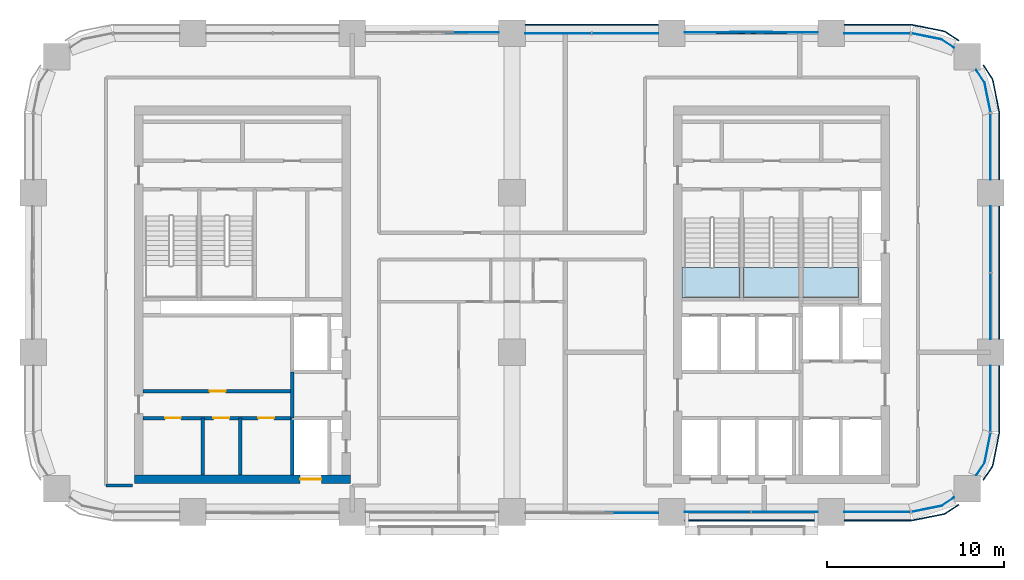
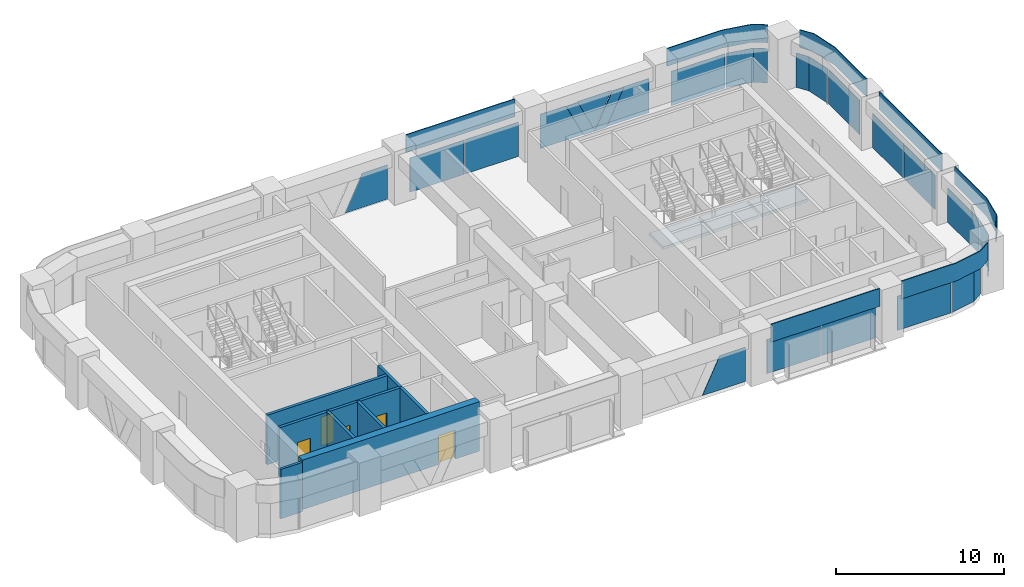
# One storey, part 7 of 13: 27 plates, 8 walls, 5 doors, 3 slabs, 5 openings, 13 elements without a shape of their own.
"""IFC4 building model written with IfcOpenShell, lengths in metres."""

import ifcopenshell
import ifcopenshell.guid

model = None  # the IFC model being written
_history = None  # IfcOwnerHistory: only IFC2X3 demands one
_inside = {}  # id of a spatial element -> (the spatial element, [elements in it])
_under = {}  # id of a project, library or spatial element -> (it, [spatial elements below it])
_declared = {}  # id of a project -> (the project, [libraries it declares])
_typed = {}  # id of a type object -> (the type object, [elements of that type])
_made_of = {}  # id of a material, layer set ... -> (it, [elements and type objects made of it])


def new_model(schema):
    """Start an empty IFC model of exactly this schema.

    Asked for "IFC4X3", IfcOpenShell would pick the latest addendum, in which some entities
    have other attributes; the version numbers below select the first issue.
    IFC2X3 requires an IfcOwnerHistory on every rooted entity: one is made here for all.
    """
    global model, _history
    if schema == "IFC4X3":
        model = ifcopenshell.file(schema_version=(4, 3, 0, 0))
    else:
        model = ifcopenshell.file(schema=schema)
    _inside.clear()
    _under.clear()
    _declared.clear()
    _typed.clear()
    _made_of.clear()
    _history = None
    if model.schema == "IFC2X3":
        org = make("IfcOrganization", Name="unknown")
        user = make(
            "IfcPersonAndOrganization",
            ThePerson=make("IfcPerson", FamilyName="unknown"),
            TheOrganization=org,
        )
        app = make(
            "IfcApplication",
            ApplicationDeveloper=org,
            Version="unknown",
            ApplicationFullName="unknown",
            ApplicationIdentifier="unknown",
        )
        _history = make(
            "IfcOwnerHistory",
            OwningUser=user,
            OwningApplication=app,
            ChangeAction="ADDED",
            CreationDate=0,
        )
    return model


def make(cls, **values):
    """One entity of the class cls with the attributes given. An attribute that is None is left unset."""
    return model.create_entity(
        cls, **{name: value for name, value in values.items() if value is not None}
    )


def rooted(cls, **values):
    """An entity with a GlobalId (a new one), such as an element, a storey or a relation."""
    return make(cls, GlobalId=ifcopenshell.guid.new(), OwnerHistory=_history, **values)


def si_unit(unit_type, name, prefix=None):
    """IfcSIUnit, for example si_unit("LENGTHUNIT", "METRE", prefix="MILLI")."""
    return make("IfcSIUnit", UnitType=unit_type, Prefix=prefix, Name=name)


def assignment(units):
    """IfcUnitAssignment: the units of a project."""
    return None if units is None else make("IfcUnitAssignment", Units=units)


def point(xyz):
    """IfcCartesianPoint."""
    return None if xyz is None else make("IfcCartesianPoint", Coordinates=xyz)


def direction(xyz):
    """IfcDirection."""
    return None if xyz is None else make("IfcDirection", DirectionRatios=xyz)


def frame(location, z_axis=None, x_axis=None):
    """IfcAxis2Placement3D, a coordinate frame: its origin and axes. An axis left out is left unset."""
    return make(
        "IfcAxis2Placement3D",
        Location=point(location),
        Axis=direction(z_axis),
        RefDirection=direction(x_axis),
    )


def frame_2d(location, x_axis=None):
    """IfcAxis2Placement2D, a coordinate frame in the plane: its origin and x axis."""
    return make(
        "IfcAxis2Placement2D", Location=point(location), RefDirection=direction(x_axis)
    )


def origin():
    """The frame at (0, 0, 0) with its axes left unset."""
    return frame((0.0, 0.0, 0.0))


def origin_2d():
    """The frame at (0, 0) in the plane with its x axis left unset."""
    return frame_2d((0.0, 0.0))


def place(relative_to, where):
    """IfcLocalPlacement: puts the frame where relative to a parent placement (None: the world)."""
    return make(
        "IfcLocalPlacement", PlacementRelTo=relative_to, RelativePlacement=where
    )


def context(
    kind, dimensions, precision=None, world=None, true_north=None, identifier=None
):
    """IfcGeometricRepresentationContext, for example the 3D "Model" context."""
    return make(
        "IfcGeometricRepresentationContext",
        ContextIdentifier=identifier,
        ContextType=kind,
        CoordinateSpaceDimension=dimensions,
        Precision=precision,
        WorldCoordinateSystem=world,
        TrueNorth=true_north,
    )


def subcontext(parent, identifier, kind, view, scale=None):
    """IfcGeometricRepresentationSubContext, for example "Body" below "Model"."""
    return make(
        "IfcGeometricRepresentationSubContext",
        ContextIdentifier=identifier,
        ContextType=kind,
        ParentContext=parent,
        TargetScale=scale,
        TargetView=view,
    )


def project(units=None, contexts=None):
    """IfcProject with its units and contexts."""
    return rooted(
        "IfcProject",
        Name="project",
        RepresentationContexts=contexts,
        UnitsInContext=assignment(units),
    )


def spatial(cls, under=None, at=None, **own):
    """A site, building, storey or space (cls), placed at a placement, below another one or the project."""
    s = rooted(cls, ObjectPlacement=at, **own)
    if under is not None:
        _under.setdefault(under.id(), (under, []))[1].append(s)
    return s


def polyline(points):
    """IfcPolyline through the points."""
    return make("IfcPolyline", Points=[point(p) for p in points])


def profile(cls, at=None, kind="AREA", **sizes):
    """A parametric profile (cls). Its sizes go by their IFC names, for example OverallWidth=200.0."""
    return make(cls, ProfileType=kind, Position=at, **sizes)


def rectangle(**sizes):
    """IfcRectangleProfileDef."""
    return profile("IfcRectangleProfileDef", **sizes)


def outline(outer, holes=None, kind="AREA"):
    """IfcArbitraryClosedProfileDef: a profile drawn as a closed curve; with holes, ...WithVoids."""
    if holes is None:
        return make("IfcArbitraryClosedProfileDef", ProfileType=kind, OuterCurve=outer)
    return make(
        "IfcArbitraryProfileDefWithVoids",
        ProfileType=kind,
        OuterCurve=outer,
        InnerCurves=holes,
    )


def extrude(swept, where, along, depth):
    """IfcExtrudedAreaSolid: the profile swept, set in the frame where, extruded along a direction by depth."""
    return make(
        "IfcExtrudedAreaSolid",
        SweptArea=swept,
        Position=where,
        ExtrudedDirection=direction(along),
        Depth=depth,
    )


def shape(context_of_items, identifier, shape_type, items):
    """IfcShapeRepresentation: the items that make up one representation, for example the "Body"."""
    return make(
        "IfcShapeRepresentation",
        ContextOfItems=context_of_items,
        RepresentationIdentifier=identifier,
        RepresentationType=shape_type,
        Items=items,
    )


def material(Name=None, Category=None):
    """IfcMaterial."""
    return make("IfcMaterial", Name=Name, Category=Category)


def layer(
    of_material, thickness, ventilated=None, Name=None, Category=None, Priority=None
):
    """IfcMaterialLayer: one layer of a wall or slab, of a material (None: an air gap)."""
    return make(
        "IfcMaterialLayer",
        Material=of_material,
        LayerThickness=thickness,
        IsVentilated=ventilated,
        Name=Name,
        Category=Category,
        Priority=Priority,
    )


def layer_set(layers, Name=None):
    """IfcMaterialLayerSet."""
    return make("IfcMaterialLayerSet", MaterialLayers=layers, LayerSetName=Name)


def made_of(thing, what):
    """Note that an element or type object is made of a material, layer set ...; save() writes the relation."""
    if what is not None:
        _made_of.setdefault(what.id(), (what, []))[1].append(thing)
    return thing


def type_object(cls, material=None, **own):
    """A type object (cls), such as IfcWallType, which elements share."""
    return made_of(rooted(cls, **own), material)


def element(
    cls,
    number,
    at=None,
    inside=None,
    cuts=None,
    type_object=None,
    material=None,
    context=None,
    identifier="Body",
    shape_type=None,
    held_by="IfcProductDefinitionShape",
    body=None,
    shapes=None,
    **own,
):
    """One element of the class cls, such as IfcWall. Its Tag is "e" and its number.

    at: its placement. inside: the storey or other place that contains it. cuts: it is an
    opening in that element (IfcRelVoidsElement). A single representation is given by context,
    identifier, shape_type and body (its items); several are given by shapes. held_by: the class
    of the entity that holds the representations. save() writes the other relations.
    """
    e = rooted(cls, Tag="e%d" % number, ObjectPlacement=at, **own)
    if body is not None:
        shapes = [shape(context, identifier, shape_type, body)]
    if shapes is not None:
        e.Representation = make(held_by, Representations=shapes)
    if inside is not None:
        _inside.setdefault(inside.id(), (inside, []))[1].append(e)
    if cuts is not None:
        rooted(
            "IfcRelVoidsElement", RelatingBuildingElement=cuts, RelatedOpeningElement=e
        )
    if type_object is not None:
        _typed.setdefault(type_object.id(), (type_object, []))[1].append(e)
    return made_of(e, material)


def fill(opening, filler):
    """IfcRelFillsElement: the door or window that sits in an opening."""
    return rooted(
        "IfcRelFillsElement",
        RelatingOpeningElement=opening,
        RelatedBuildingElement=filler,
    )


def aggregate(whole, parts):
    """IfcRelAggregates: a whole, such as a stair, and the parts it consists of."""
    return rooted("IfcRelAggregates", RelatingObject=whole, RelatedObjects=parts)


def save(model, path):
    """Write the relations noted so far, then the file.

    IfcRelAggregates (storeys below a building ...), IfcRelContainedInSpatialStructure (elements
    in a storey), IfcRelDefinesByType, IfcRelAssociatesMaterial and IfcRelDeclares: one each for
    every whole, place, type object, material and project.
    """
    for whole, parts in _under.values():
        aggregate(whole, parts)
    for where, things in _inside.values():
        rooted(
            "IfcRelContainedInSpatialStructure",
            RelatedElements=things,
            RelatingStructure=where,
        )
    for kind, things in _typed.values():
        rooted("IfcRelDefinesByType", RelatedObjects=things, RelatingType=kind)
    for what, things in _made_of.values():
        rooted("IfcRelAssociatesMaterial", RelatedObjects=things, RelatingMaterial=what)
    for by, libraries in _declared.values():
        rooted("IfcRelDeclares", RelatingContext=by, RelatedDefinitions=libraries)
    model.write(path)


model = new_model("IFC4")

# Units and contexts
model_context = context("Model", 3, precision=1e-05, world=origin(), true_north=direction((0.0, 1.0)))
body_context = subcontext(model_context, "Body", "Model", "MODEL_VIEW")
ifc_project = project(units=[si_unit("LENGTHUNIT", "METRE"), si_unit("AREAUNIT", "SQUARE_METRE"), si_unit("VOLUMEUNIT", "CUBIC_METRE"), si_unit("PLANEANGLEUNIT", "RADIAN"), si_unit("MASSUNIT", "GRAM", prefix="KILO")], contexts=[model_context])

# Site, building, storey
site_placement = place(None, origin())
site = spatial("IfcSite", under=ifc_project, at=site_placement, CompositionType="ELEMENT")
building_placement = place(site_placement, origin())
building = spatial("IfcBuilding", under=site, at=building_placement, Name="Tessera Arch", CompositionType="ELEMENT")
storey_placement = place(building_placement, frame((0.0, 0.0, 158.300048828125)))
storey = spatial("IfcBuildingStorey", under=building, at=storey_placement, Name="L37", CompositionType="ELEMENT", Elevation=158.300048828125)

# Curtain wall, plates
ifc_material_1 = material(Name="CW1 curtain wall")
curtain_wall_type_1 = type_object("IfcCurtainWallType", Name="CW1 curtain wall", PredefinedType="NOTDEFINED", material=ifc_material_1)
curtain_wall_1_placement = place(storey_placement, origin())
curtain_wall_1 = element("IfcCurtainWall", 1, at=curtain_wall_1_placement, inside=storey, type_object=curtain_wall_type_1, Name="CW1 curtain wall E54.27/0 L37", PredefinedType="NOTDEFINED")
ifc_material_2 = material(Name="Clear low-e glass", Category="glass")
ifc_material_3 = material(Name="Clear low-e glass", Category="glass")
ifc_layer_1 = layer(ifc_material_3, 0.028076171875)
ifc_layer_set_1 = layer_set([ifc_layer_1], Name="CW1 glass panel")
plate_type_1 = type_object("IfcPlateType", Name="CW1 glass panel", PredefinedType="CURTAIN_PANEL", material=ifc_layer_set_1)
plate_1_placement = place(storey_placement, frame((54.0, 38.610107421875, 0.0), z_axis=(0.0, 0.0, 1.0), x_axis=(0.0, 1.0, 0.0)))
plate_1 = element("IfcPlate", 2, at=plate_1_placement, type_object=plate_type_1, material=ifc_material_2, Name="CW1 glass panel E54.27/0 1.1.1", PredefinedType="CURTAIN_PANEL", context=body_context, shape_type="SweptSolid", body=[
    extrude(rectangle(XDim=3.719970703125, YDim=0.028076171875, at=origin_2d()), origin(), (0.0, 0.0, 1.0), 2.5),
])
plate_2_placement = place(storey_placement, frame((54.0, 42.389892578125, 0.0), z_axis=(0.0, 0.0, 1.0), x_axis=(0.0, 1.0, 0.0)))
plate_2 = element("IfcPlate", 3, at=plate_2_placement, type_object=plate_type_1, material=ifc_material_2, Name="CW1 glass panel E54.27/0 1.2.1", PredefinedType="CURTAIN_PANEL", context=body_context, shape_type="SweptSolid", body=[
    extrude(rectangle(XDim=3.719970703125, YDim=0.028076171875, at=origin_2d()), origin(), (0.0, 0.0, 1.0), 2.5),
])

curtain_wall_2_placement = place(storey_placement, origin())
curtain_wall_2 = element("IfcCurtainWall", 4, at=curtain_wall_2_placement, inside=storey, type_object=curtain_wall_type_1, Name="CW1 curtain wall N54.0/2 L37", PredefinedType="NOTDEFINED")
plate_3_placement = place(storey_placement, frame((33.389892578125, 54.0, 0.0), z_axis=(0.0, 0.0, 1.0), x_axis=(-1.0, 0.0, 0.0)))
plate_3 = element("IfcPlate", 5, at=plate_3_placement, type_object=plate_type_1, material=ifc_material_2, Name="CW1 glass panel N54.0/2 1.1.1", PredefinedType="CURTAIN_PANEL", context=body_context, shape_type="SweptSolid", body=[
    extrude(rectangle(XDim=3.719970703125, YDim=0.028076171875, at=origin_2d()), origin(), (0.0, 0.0, 1.0), 2.5),
])
plate_4_placement = place(storey_placement, frame((29.610107421875, 54.0, 0.0), z_axis=(0.0, 0.0, 1.0), x_axis=(-1.0, 0.0, 0.0)))
plate_4 = element("IfcPlate", 6, at=plate_4_placement, type_object=plate_type_1, material=ifc_material_2, Name="CW1 glass panel N54.0/2 1.2.1", PredefinedType="CURTAIN_PANEL", context=body_context, shape_type="SweptSolid", body=[
    extrude(rectangle(XDim=3.719970703125, YDim=0.028076171875, at=origin_2d()), origin(), (0.0, 0.0, 1.0), 2.5),
])

curtain_wall_3_placement = place(storey_placement, origin())
curtain_wall_3 = element("IfcCurtainWall", 7, at=curtain_wall_3_placement, inside=storey, type_object=curtain_wall_type_1, Name="CW1 curtain wall S27.0/4 L37", PredefinedType="NOTDEFINED")
plate_5_placement = place(storey_placement, frame((38.610107421875, 27.0, 0.0), z_axis=(0.0, 0.0, 1.0), x_axis=(1.0, 0.0, 0.0)))
plate_5 = element("IfcPlate", 8, at=plate_5_placement, type_object=plate_type_1, material=ifc_material_2, Name="CW1 glass panel S27.0/4 1.1.1", PredefinedType="CURTAIN_PANEL", context=body_context, shape_type="SweptSolid", body=[
    extrude(rectangle(XDim=3.719970703125, YDim=0.028076171875, at=origin_2d()), origin(), (0.0, 0.0, 1.0), 2.5),
])
plate_6_placement = place(storey_placement, frame((42.389892578125, 27.0, 0.0), z_axis=(0.0, 0.0, 1.0), x_axis=(1.0, 0.0, 0.0)))
plate_6 = element("IfcPlate", 9, at=plate_6_placement, type_object=plate_type_1, material=ifc_material_2, Name="CW1 glass panel S27.0/4 1.2.1", PredefinedType="CURTAIN_PANEL", context=body_context, shape_type="SweptSolid", body=[
    extrude(rectangle(XDim=3.719970703125, YDim=0.028076171875, at=origin_2d()), origin(), (0.0, 0.0, 1.0), 2.5),
])

# Plate
ifc_material_4 = material(Name="Pale anodised aluminium panel", Category="aluminium")
ifc_layer_2 = layer(ifc_material_4, 0.06005859375)
ifc_layer_set_2 = layer_set([ifc_layer_2], Name="CW1 spandrel panel")
plate_type_2 = type_object("IfcPlateType", Name="CW1 spandrel panel", PredefinedType="CURTAIN_PANEL", material=ifc_layer_set_2)
plate_7_placement = place(storey_placement, frame((54.47998046875, 40.5, 2.60009765625), z_axis=(0.0, 0.0, 1.0), x_axis=(0.0, 1.0, 0.0)))
plate_7 = element("IfcPlate", 10, at=plate_7_placement, type_object=plate_type_2, Name="CW1 spandrel panel E54.27/0", PredefinedType="CURTAIN_PANEL", context=body_context, shape_type="SweptSolid", body=[
    extrude(rectangle(XDim=7.5, YDim=0.06005859375, at=origin_2d()), origin(), (0.0, 0.0, 1.0), 1.300048828125),
])

aggregate(curtain_wall_1, [plate_1, plate_2, plate_7])

plate_8_placement = place(storey_placement, frame((31.5, 54.47998046875, 2.60009765625), z_axis=(0.0, 0.0, 1.0), x_axis=(-1.0, 0.0, 0.0)))
plate_8 = element("IfcPlate", 11, at=plate_8_placement, type_object=plate_type_2, Name="CW1 spandrel panel N54.0/2", PredefinedType="CURTAIN_PANEL", context=body_context, shape_type="SweptSolid", body=[
    extrude(rectangle(XDim=7.5, YDim=0.06005859375, at=origin_2d()), origin(), (0.0, 0.0, 1.0), 1.300048828125),
])

aggregate(curtain_wall_2, [plate_3, plate_4, plate_8])

plate_9_placement = place(storey_placement, frame((40.5, 26.52001953125, 2.60009765625), z_axis=(0.0, 0.0, 1.0), x_axis=(1.0, 0.0, 0.0)))
plate_9 = element("IfcPlate", 12, at=plate_9_placement, type_object=plate_type_2, Name="CW1 spandrel panel S27.0/4", PredefinedType="CURTAIN_PANEL", context=body_context, shape_type="SweptSolid", body=[
    extrude(rectangle(XDim=7.5, YDim=0.06005859375, at=origin_2d()), origin(), (0.0, 0.0, 1.0), 1.300048828125),
])

aggregate(curtain_wall_3, [plate_5, plate_6, plate_9])

# Curtain wall, plates
ifc_material_5 = material(Name="CW2 curtain wall")
curtain_wall_type_2 = type_object("IfcCurtainWallType", Name="CW2 curtain wall", PredefinedType="NOTDEFINED", material=ifc_material_5)
curtain_wall_4_placement = place(storey_placement, origin())
curtain_wall_4 = element("IfcCurtainWall", 13, at=curtain_wall_4_placement, inside=storey, type_object=curtain_wall_type_2, Name="CW2 curtain wall E54.27/1 L37", PredefinedType="NOTDEFINED")
ifc_material_6 = material(Name="Clear low-e glass", Category="glass")
ifc_layer_3 = layer(ifc_material_6, 0.028076171875)
ifc_layer_set_3 = layer_set([ifc_layer_3], Name="CW2 glass panel")
plate_type_3 = type_object("IfcPlateType", Name="CW2 glass panel", PredefinedType="CURTAIN_PANEL", material=ifc_layer_set_3)
plate_10_placement = place(storey_placement, frame((54.0, 47.60498046875, 0.0), z_axis=(0.0, 0.0, 1.0), x_axis=(0.0, 1.0, 0.0)))
plate_10 = element("IfcPlate", 14, at=plate_10_placement, type_object=plate_type_3, material=ifc_material_2, Name="CW2 glass panel E54.27/1 1.1", PredefinedType="CURTAIN_PANEL", context=body_context, shape_type="SweptSolid", body=[
    extrude(rectangle(XDim=3.7099609375, YDim=0.028076171875, at=origin_2d()), origin(), (0.0, 0.0, 1.0), 2.5),
])
plate_11_placement = place(storey_placement, origin())
plate_11 = element("IfcPlate", 15, at=plate_11_placement, type_object=plate_type_3, material=ifc_material_2, Name="CW2 curved glass panel E54.27/1 2.1", PredefinedType="CURTAIN_PANEL", context=body_context, shape_type="SweptSolid", body=[
    extrude(outline(polyline([(53.644287109375, 51.216552734375), (53.978515625, 49.53662109375), (54.005859375, 49.5419921875), (53.670654296875, 51.2275390625), (53.19482421875, 51.939697265625), (53.17138671875, 51.92431640625), (53.644287109375, 51.216552734375)])), origin(), (0.0, 0.0, 1.0), 2.5),
])

curtain_wall_5_placement = place(storey_placement, origin())
curtain_wall_5 = element("IfcCurtainWall", 16, at=curtain_wall_5_placement, inside=storey, type_object=curtain_wall_type_2, Name="CW2 curtain wall N54.0/0 L37", PredefinedType="NOTDEFINED")
plate_12_placement = place(storey_placement, frame((47.60498046875, 54.0, 0.0), z_axis=(0.0, 0.0, 1.0), x_axis=(-1.0, 0.0, 0.0)))
plate_12 = element("IfcPlate", 17, at=plate_12_placement, type_object=plate_type_3, material=ifc_material_2, Name="CW2 glass panel N54.0/0 1.1", PredefinedType="CURTAIN_PANEL", context=body_context, shape_type="SweptSolid", body=[
    extrude(rectangle(XDim=3.7099609375, YDim=0.028076171875, at=origin_2d()), origin(), (0.0, 0.0, 1.0), 2.5),
])
plate_13_placement = place(storey_placement, origin())
plate_13 = element("IfcPlate", 18, at=plate_13_placement, type_object=plate_type_3, material=ifc_material_2, Name="CW2 curved glass panel N54.0/0 2.1", PredefinedType="CURTAIN_PANEL", context=body_context, shape_type="SweptSolid", body=[
    extrude(outline(polyline([(51.216552734375, 53.644287109375), (51.92431640625, 53.17138671875), (51.939697265625, 53.19482421875), (51.2275390625, 53.670654296875), (49.5419921875, 54.005859375), (49.53662109375, 53.978515625), (51.216552734375, 53.644287109375)])), origin(), (0.0, 0.0, 1.0), 2.5),
])

curtain_wall_6_placement = place(storey_placement, origin())
curtain_wall_6 = element("IfcCurtainWall", 19, at=curtain_wall_6_placement, inside=storey, type_object=curtain_wall_type_2, Name="CW2 curtain wall S27.0/5 L37", PredefinedType="NOTDEFINED")
plate_14_placement = place(storey_placement, frame((47.60498046875, 27.0, 0.0), z_axis=(0.0, 0.0, 1.0), x_axis=(1.0, 0.0, 0.0)))
plate_14 = element("IfcPlate", 20, at=plate_14_placement, type_object=plate_type_3, material=ifc_material_2, Name="CW2 glass panel S27.0/5 1.1", PredefinedType="CURTAIN_PANEL", context=body_context, shape_type="SweptSolid", body=[
    extrude(rectangle(XDim=3.7099609375, YDim=0.028076171875, at=origin_2d()), origin(), (0.0, 0.0, 1.0), 2.5),
])
plate_15_placement = place(storey_placement, origin())
plate_15 = element("IfcPlate", 21, at=plate_15_placement, type_object=plate_type_3, material=ifc_material_2, Name="CW2 curved glass panel S27.0/5 2.1", PredefinedType="CURTAIN_PANEL", context=body_context, shape_type="SweptSolid", body=[
    extrude(outline(polyline([(51.216552734375, 27.355712890625), (49.53662109375, 27.021484375), (49.5419921875, 26.994140625), (51.2275390625, 27.329345703125), (51.939697265625, 27.80517578125), (51.92431640625, 27.82861328125), (51.216552734375, 27.355712890625)])), origin(), (0.0, 0.0, 1.0), 2.5),
])

curtain_wall_7_placement = place(storey_placement, origin())
curtain_wall_7 = element("IfcCurtainWall", 22, at=curtain_wall_7_placement, inside=storey, type_object=curtain_wall_type_2, Name="CW2 curtain wall E54.27/2 L37", PredefinedType="NOTDEFINED")
plate_16_placement = place(storey_placement, frame((54.0, 33.39501953125, 0.0), z_axis=(0.0, 0.0, 1.0), x_axis=(0.0, 1.0, 0.0)))
plate_16 = element("IfcPlate", 23, at=plate_16_placement, type_object=plate_type_3, material=ifc_material_2, Name="CW2 glass panel E54.27/2 1.1", PredefinedType="CURTAIN_PANEL", context=body_context, shape_type="SweptSolid", body=[
    extrude(rectangle(XDim=3.7099609375, YDim=0.028076171875, at=origin_2d()), origin(), (0.0, 0.0, 1.0), 2.5),
])
plate_17_placement = place(storey_placement, origin())
plate_17 = element("IfcPlate", 24, at=plate_17_placement, type_object=plate_type_3, material=ifc_material_2, Name="CW2 curved glass panel E54.27/2 2.1", PredefinedType="CURTAIN_PANEL", context=body_context, shape_type="SweptSolid", body=[
    extrude(outline(polyline([(53.644287109375, 29.783447265625), (53.17138671875, 29.07568359375), (53.19482421875, 29.060302734375), (53.670654296875, 29.7724609375), (54.005859375, 31.4580078125), (53.978515625, 31.46337890625), (53.644287109375, 29.783447265625)])), origin(), (0.0, 0.0, 1.0), 2.5),
])

# Plate
ifc_material_7 = material(Name="Pale anodised aluminium panel", Category="aluminium")
ifc_layer_4 = layer(ifc_material_7, 0.06005859375)
ifc_layer_set_4 = layer_set([ifc_layer_4], Name="CW2 spandrel panel")
plate_type_4 = type_object("IfcPlateType", Name="CW2 spandrel panel", PredefinedType="CURTAIN_PANEL", material=ifc_layer_set_4)
plate_18_placement = place(storey_placement, frame((0.0, 0.0, 2.599853515625)))
plate_18 = element("IfcPlate", 25, at=plate_18_placement, type_object=plate_type_4, Name="CW2 spandrel panel E54.27/1", PredefinedType="CURTAIN_PANEL", context=body_context, shape_type="SweptSolid", body=[
    extrude(outline(polyline([(54.449951171875, 49.499267578125), (54.449951171875, 45.75), (54.510009765625, 45.75), (54.510009765625, 49.500732421875), (54.507568359375, 49.550048828125), (54.500244140625, 49.598876953125), (54.157470703125, 51.322265625), (54.1455078125, 51.3701171875), (54.128662109375, 51.417236328125), (54.107421875, 51.462646484375), (54.08203125, 51.5048828125), (53.607177734375, 52.21533203125), (53.55712890625, 52.18212890625), (54.03125, 51.47265625), (54.054443359375, 51.434326171875), (54.0732421875, 51.394287109375), (54.088134765625, 51.352783203125), (54.09912109375, 51.30908203125), (54.441162109375, 49.588623046875), (54.44775390625, 49.544189453125), (54.449951171875, 49.499267578125)])), origin(), (0.0, 0.0, 1.0), 1.300048828125),
])

aggregate(curtain_wall_4, [plate_10, plate_11, plate_18])

plate_19_placement = place(storey_placement, frame((0.0, 0.0, 2.599853515625)))
plate_19 = element("IfcPlate", 26, at=plate_19_placement, type_object=plate_type_4, Name="CW2 spandrel panel N54.0/0", PredefinedType="CURTAIN_PANEL", context=body_context, shape_type="SweptSolid", body=[
    extrude(outline(polyline([(51.47265625, 54.03125), (52.18212890625, 53.55712890625), (52.21533203125, 53.607177734375), (51.5048828125, 54.08203125), (51.462646484375, 54.107421875), (51.417236328125, 54.128662109375), (51.3701171875, 54.1455078125), (51.322265625, 54.157470703125), (49.598876953125, 54.500244140625), (49.550048828125, 54.507568359375), (49.500732421875, 54.510009765625), (45.75, 54.510009765625), (45.75, 54.449951171875), (49.499267578125, 54.449951171875), (49.544189453125, 54.44775390625), (49.588623046875, 54.441162109375), (51.30908203125, 54.09912109375), (51.352783203125, 54.088134765625), (51.394287109375, 54.0732421875), (51.434326171875, 54.054443359375), (51.47265625, 54.03125)])), origin(), (0.0, 0.0, 1.0), 1.300048828125),
])

aggregate(curtain_wall_5, [plate_12, plate_13, plate_19])

plate_20_placement = place(storey_placement, frame((0.0, 0.0, 2.599853515625)))
plate_20 = element("IfcPlate", 27, at=plate_20_placement, type_object=plate_type_4, Name="CW2 spandrel panel S27.0/5", PredefinedType="CURTAIN_PANEL", context=body_context, shape_type="SweptSolid", body=[
    extrude(outline(polyline([(49.499267578125, 26.550048828125), (45.75, 26.550048828125), (45.75, 26.489990234375), (49.500732421875, 26.489990234375), (49.550048828125, 26.492431640625), (49.598876953125, 26.499755859375), (51.322265625, 26.842529296875), (51.3701171875, 26.8544921875), (51.417236328125, 26.871337890625), (51.462646484375, 26.892578125), (51.5048828125, 26.91796875), (52.21533203125, 27.392822265625), (52.18212890625, 27.44287109375), (51.47265625, 26.96875), (51.434326171875, 26.945556640625), (51.394287109375, 26.9267578125), (51.352783203125, 26.911865234375), (51.30908203125, 26.90087890625), (49.588623046875, 26.558837890625), (49.544189453125, 26.55224609375), (49.499267578125, 26.550048828125)])), origin(), (0.0, 0.0, 1.0), 1.300048828125),
])

aggregate(curtain_wall_6, [plate_14, plate_15, plate_20])

plate_21_placement = place(storey_placement, frame((0.0, 0.0, 2.599853515625)))
plate_21 = element("IfcPlate", 28, at=plate_21_placement, type_object=plate_type_4, Name="CW2 spandrel panel E54.27/2", PredefinedType="CURTAIN_PANEL", context=body_context, shape_type="SweptSolid", body=[
    extrude(outline(polyline([(54.03125, 29.52734375), (53.55712890625, 28.81787109375), (53.607177734375, 28.78466796875), (54.08203125, 29.4951171875), (54.107421875, 29.537353515625), (54.128662109375, 29.582763671875), (54.1455078125, 29.6298828125), (54.157470703125, 29.677734375), (54.500244140625, 31.401123046875), (54.507568359375, 31.449951171875), (54.510009765625, 31.499267578125), (54.510009765625, 35.25), (54.449951171875, 35.25), (54.449951171875, 31.500732421875), (54.44775390625, 31.455810546875), (54.441162109375, 31.411376953125), (54.09912109375, 29.69091796875), (54.088134765625, 29.647216796875), (54.0732421875, 29.605712890625), (54.054443359375, 29.565673828125), (54.03125, 29.52734375)])), origin(), (0.0, 0.0, 1.0), 1.300048828125),
])

aggregate(curtain_wall_7, [plate_16, plate_17, plate_21])

# Curtain wall, plates
ifc_material_8 = material(Name="CW3 curtain wall")
curtain_wall_type_3 = type_object("IfcCurtainWallType", Name="CW3 curtain wall", PredefinedType="NOTDEFINED", material=ifc_material_8)
curtain_wall_8_placement = place(storey_placement, origin())
curtain_wall_8 = element("IfcCurtainWall", 29, at=curtain_wall_8_placement, inside=storey, type_object=curtain_wall_type_3, Name="CW3 curtain wall N54.0/1 L37", PredefinedType="NOTDEFINED")
ifc_material_9 = material(Name="Pale anodised aluminium panel", Category="aluminium")
ifc_layer_5 = layer(ifc_material_9, 0.06005859375)
ifc_layer_set_5 = layer_set([ifc_layer_5], Name="CW3 diagonal panel")
plate_type_5 = type_object("IfcPlateType", Name="CW3 diagonal panel", PredefinedType="CURTAIN_PANEL", material=ifc_layer_set_5)
plate_22_placement = place(storey_placement, frame((38.51318359375, 54.030029296875, 2.5), z_axis=(0.0, 1.0, 0.0), x_axis=(1.0, 0.0, 0.0)))
plate_22 = element("IfcPlate", 30, at=plate_22_placement, type_object=plate_type_5, Name="CW3 diagonal panel N54.0/1 1", PredefinedType="CURTAIN_PANEL", context=body_context, shape_type="SweptSolid", body=[
    extrude(outline(polyline([(0.0, 0.0), (0.800537109375, 0.0), (1.98681640625, 2.467529296875), (3.173095703125, 0.0), (3.9736328125, 0.0), (2.771728515625, 2.5), (1.201904296875, 2.5), (0.0, 0.0)])), origin(), (0.0, 0.0, -1.0), 0.06005859375),
])
ifc_material_10 = material(Name="Clear low-e glass", Category="glass")
ifc_layer_6 = layer(ifc_material_10, 0.028076171875)
ifc_layer_set_6 = layer_set([ifc_layer_6], Name="CW3 glass panel")
plate_type_6 = type_object("IfcPlateType", Name="CW3 glass panel", PredefinedType="CURTAIN_PANEL", material=ifc_layer_set_6)
plate_23_placement = place(storey_placement, frame((44.25, 54.05810546875, 0.0), z_axis=(0.0, 1.0, 0.0), x_axis=(-1.0, 0.0, 0.0)))
plate_23 = element("IfcPlate", 31, at=plate_23_placement, type_object=plate_type_6, material=ifc_material_2, Name="CW3 triangulated glass panel N54.0/1 1", PredefinedType="CURTAIN_PANEL", context=body_context, shape_type="SweptSolid", body=[
    extrude(outline(polyline([(0.0, 0.0), (2.965087890625, 0.0), (1.76318359375, 2.5), (0.0, 2.5), (0.0, 0.0)])), origin(), (0.0, 0.0, -1.0), 0.028076171875),
])
plate_24_placement = place(storey_placement, frame((39.313720703125, 54.0859375, 2.5), z_axis=(0.0, 1.0, 0.0), x_axis=(1.0, 0.0, 0.0)))
plate_24 = element("IfcPlate", 32, at=plate_24_placement, type_object=plate_type_6, material=ifc_material_2, Name="CW3 triangulated glass panel N54.0/1 2", PredefinedType="CURTAIN_PANEL", context=body_context, shape_type="SweptSolid", body=[
    extrude(outline(polyline([(0.0, 0.0), (2.37255859375, 0.0), (1.186279296875, 2.467529296875), (0.0, 0.0)])), origin(), (0.0, 0.0, -1.0), 0.028076171875),
])
plate_25_placement = place(storey_placement, frame((36.75, 54.05810546875, 2.5), z_axis=(0.0, 1.0, 0.0), x_axis=(1.0, 0.0, 0.0)))
plate_25 = element("IfcPlate", 33, at=plate_25_placement, type_object=plate_type_6, material=ifc_material_2, Name="CW3 triangulated glass panel N54.0/1 3", PredefinedType="CURTAIN_PANEL", context=body_context, shape_type="SweptSolid", body=[
    extrude(outline(polyline([(0.0, 0.0), (1.76318359375, 0.0), (2.965087890625, 2.5), (0.0, 2.5), (0.0, 0.0)])), origin(), (0.0, 0.0, -1.0), 0.028076171875),
])
aggregate(curtain_wall_8, [plate_23, plate_24, plate_25, plate_22])

# Curtain wall, plate
curtain_wall_9_placement = place(storey_placement, origin())
curtain_wall_9 = element("IfcCurtainWall", 34, at=curtain_wall_9_placement, inside=storey, type_object=curtain_wall_type_3, Name="CW3 curtain wall N54.0/3 L37", PredefinedType="NOTDEFINED")
plate_26_placement = place(storey_placement, frame((26.25, 54.05810546875, 0.0), z_axis=(0.0, 1.0, 0.0), x_axis=(-1.0, 0.0, 0.0)))
plate_26 = element("IfcPlate", 35, at=plate_26_placement, type_object=plate_type_6, material=ifc_material_2, Name="CW3 triangulated glass panel N54.0/3 1", PredefinedType="CURTAIN_PANEL", context=body_context, shape_type="SweptSolid", body=[
    extrude(outline(polyline([(0.0, 0.0), (2.965087890625, 0.0), (1.76318359375, 2.5), (0.0, 2.5), (0.0, 0.0)])), origin(), (0.0, 0.0, -1.0), 0.028076171875),
])
aggregate(curtain_wall_9, [plate_26])

curtain_wall_10_placement = place(storey_placement, origin())
curtain_wall_10 = element("IfcCurtainWall", 36, at=curtain_wall_10_placement, inside=storey, type_object=curtain_wall_type_3, Name="CW3 curtain wall S27.0/3 L37", PredefinedType="NOTDEFINED")
plate_27_placement = place(storey_placement, frame((35.25, 26.94189453125, 2.5), z_axis=(0.0, -1.0, 0.0), x_axis=(-1.0, 0.0, 0.0)))
plate_27 = element("IfcPlate", 37, at=plate_27_placement, type_object=plate_type_6, material=ifc_material_2, Name="CW3 triangulated glass panel S27.0/3 3", PredefinedType="CURTAIN_PANEL", context=body_context, shape_type="SweptSolid", body=[
    extrude(outline(polyline([(0.0, 0.0), (1.76318359375, 0.0), (2.965087890625, 2.5), (0.0, 2.5), (0.0, 0.0)])), origin(), (0.0, 0.0, -1.0), 0.028076171875),
])
aggregate(curtain_wall_10, [plate_27])

# Stair, slab
ifc_material_11 = material(Name="Concrete C40/50", Category="concrete")
stair_type = type_object("IfcStairType", Name="Dogleg stair 1520", PredefinedType="HALF_TURN_STAIR", material=ifc_material_11)
stair_1_placement = place(storey_placement, origin())
stair_1 = element("IfcStair", 38, at=stair_1_placement, inside=storey, type_object=stair_type, Name="L37 S1a", PredefinedType="HALF_TURN_STAIR")
ifc_material_12 = material(Name="Concrete C40/50", Category="concrete")
ifc_layer_7 = layer(ifc_material_12, 0.300048828125)
ifc_layer_set_7 = layer_set([ifc_layer_7], Name="Stair landing 300")
slab_type = type_object("IfcSlabType", Name="Stair landing 300", PredefinedType="LANDING", material=ifc_layer_set_7)
slab_1_placement = place(storey_placement, frame((0.0, 0.0, 1.75)))
slab_1 = element("IfcSlab", 39, at=slab_1_placement, type_object=slab_type, Name="S1a landing 1", PredefinedType="LANDING", context=body_context, shape_type="SweptSolid", body=[
    extrude(outline(polyline([(36.60009765625, 40.780029296875), (36.60009765625, 39.10009765625), (39.85009765625, 39.10009765625), (39.85009765625, 40.780029296875), (36.60009765625, 40.780029296875)])), origin(), (0.0, 0.0, 1.0), 0.199951171875),
])
aggregate(stair_1, [slab_1])

stair_2_placement = place(storey_placement, origin())
stair_2 = element("IfcStair", 40, at=stair_2_placement, inside=storey, type_object=stair_type, Name="L37 S1b", PredefinedType="HALF_TURN_STAIR")
slab_2_placement = place(storey_placement, frame((0.0, 0.0, 1.75)))
slab_2 = element("IfcSlab", 41, at=slab_2_placement, type_object=slab_type, Name="S1b landing 1", PredefinedType="LANDING", context=body_context, shape_type="SweptSolid", body=[
    extrude(outline(polyline([(40.050048828125, 40.780029296875), (40.050048828125, 39.10009765625), (43.199951171875, 39.10009765625), (43.199951171875, 40.780029296875), (40.050048828125, 40.780029296875)])), origin(), (0.0, 0.0, 1.0), 0.199951171875),
])
aggregate(stair_2, [slab_2])

stair_3_placement = place(storey_placement, origin())
stair_3 = element("IfcStair", 42, at=stair_3_placement, inside=storey, type_object=stair_type, Name="L37 S1c", PredefinedType="HALF_TURN_STAIR")
slab_3_placement = place(storey_placement, frame((0.0, 0.0, 1.75)))
slab_3 = element("IfcSlab", 43, at=slab_3_placement, type_object=slab_type, Name="S1c landing 1", PredefinedType="LANDING", context=body_context, shape_type="SweptSolid", body=[
    extrude(outline(polyline([(43.39990234375, 40.780029296875), (43.39990234375, 39.10009765625), (46.550048828125, 39.10009765625), (46.550048828125, 40.780029296875), (43.39990234375, 40.780029296875)])), origin(), (0.0, 0.0, 1.0), 0.199951171875),
])
aggregate(stair_3, [slab_3])

# Walls
ifc_material_13 = material(Name="Gypsum board on steel stud", Category="steel")
ifc_layer_8 = layer(ifc_material_13, 0.125)
ifc_layer_set_8 = layer_set([ifc_layer_8], Name="Core partition 125 EI 60")
wall_type_1 = type_object("IfcWallType", Name="Core partition 125 EI 60", PredefinedType="PARTITIONING", material=ifc_layer_set_8)
for number, where, z_axis, x_axis, name in (
    (44, (9.56005859375, 29.10009765625, 0.0), (0.0, 0.0, 1.0), (0.0, 1.0, 0.0), "L37 C2 partition wall 3"),
    (45, (11.659912109375, 29.10009765625, 0.0), (0.0, 0.0, 1.0), (0.0, 1.0, 0.0), "L37 C2 partition wall 4"),
):
    element("IfcWall", number, at=place(storey_placement, frame(where, z_axis=z_axis, x_axis=x_axis)), inside=storey, type_object=wall_type_1, Name=name, PredefinedType="PARTITIONING", context=body_context, shape_type="SweptSolid", body=[
        extrude(rectangle(XDim=3.199951171875, YDim=0.199951171875, at=frame_2d((1.60009765625, 0.0))), origin(), (0.0, 0.0, 1.0), 3.599853515625),
    ])
wall_1_placement = place(storey_placement, frame((14.60009765625, 32.300048828125, 0.0), z_axis=(0.0, 0.0, 1.0), x_axis=(0.0, 1.0, 0.0)))
element("IfcWall", 46, at=wall_1_placement, inside=storey, type_object=wall_type_1, Name="L37 C2 partition wall 8", PredefinedType="PARTITIONING", context=body_context, shape_type="SweptSolid", body=[
    extrude(rectangle(XDim=2.599853515625, YDim=0.199951171875, at=frame_2d((1.2998046875, 0.0))), origin(), (0.0, 0.0, 1.0), 3.599853515625),
])

# Wall, openings, doors
wall_2_placement = place(storey_placement, frame((6.199951171875, 32.300048828125, 0.0), z_axis=(0.0, 0.0, 1.0), x_axis=(1.0, 0.0, 0.0)))
wall_2 = element("IfcWall", 47, at=wall_2_placement, inside=storey, type_object=wall_type_1, Name="L37 C2 partition wall 14", PredefinedType="PARTITIONING", context=body_context, shape_type="SweptSolid", body=[
    extrude(rectangle(XDim=8.400146484375, YDim=0.199951171875, at=frame_2d((4.2001953125, 0.0))), origin(), (0.0, 0.0, 1.0), 3.599853515625),
])
opening_1_placement = place(wall_2_placement, frame((1.22998046875, 0.0, 0.0)))
opening_1 = element("IfcOpeningElement", 48, at=opening_1_placement, cuts=wall_2, Name="Opening L37-C34", PredefinedType="OPENING", context=body_context, shape_type="SweptSolid", body=[
    extrude(rectangle(XDim=0.89990234375, YDim=2.10009765625, at=frame_2d((0.449951171875, 1.050048828125))), frame((0.0, 0.10986328125, 0.0), z_axis=(0.0, -1.0, 0.0), x_axis=(1.0, 0.0, 0.0)), (0.0, 0.0, 1.0), 0.219970703125),
])
opening_2_placement = place(wall_2_placement, frame((3.9599609375, 0.0, 0.0)))
opening_2 = element("IfcOpeningElement", 49, at=opening_2_placement, cuts=wall_2, Name="Opening L37-C35", PredefinedType="OPENING", context=body_context, shape_type="SweptSolid", body=[
    extrude(rectangle(XDim=0.89990234375, YDim=2.10009765625, at=frame_2d((0.449951171875, 1.050048828125))), frame((0.0, 0.10986328125, 0.0), z_axis=(0.0, -1.0, 0.0), x_axis=(1.0, 0.0, 0.0)), (0.0, 0.0, 1.0), 0.219970703125),
])
opening_3_placement = place(wall_2_placement, frame((6.47998046875, 0.0, 0.0)))
opening_3 = element("IfcOpeningElement", 50, at=opening_3_placement, cuts=wall_2, Name="Opening L37-C36", PredefinedType="OPENING", context=body_context, shape_type="SweptSolid", body=[
    extrude(rectangle(XDim=0.89990234375, YDim=2.10009765625, at=frame_2d((0.449951171875, 1.050048828125))), frame((0.0, 0.10986328125, 0.0), z_axis=(0.0, -1.0, 0.0), x_axis=(1.0, 0.0, 0.0)), (0.0, 0.0, 1.0), 0.219970703125),
])
ifc_material_14 = material(Name="Steel door leaf", Category="steel")
door_type_1 = type_object("IfcDoorType", Name="Store door FD30S 900 x 2100", OperationType="SINGLE_SWING_LEFT", PredefinedType="DOOR", material=ifc_material_14)
door_1_placement = place(opening_1_placement, origin())
door_1 = element("IfcDoor", 51, at=door_1_placement, inside=storey, type_object=door_type_1, Name="L37 C2 door 14 C34 type D09", OperationType="SINGLE_SWING_LEFT", OverallHeight=2.10009765625, OverallWidth=0.89990234375, PredefinedType="DOOR", context=body_context, shape_type="SweptSolid", body=[
    extrude(rectangle(XDim=0.89990234375, YDim=2.10009765625, at=frame_2d((0.449951171875, 1.050048828125))), frame((0.0, 0.02490234375, 0.0), z_axis=(0.0, -1.0, 0.0), x_axis=(1.0, 0.0, 0.0)), (0.0, 0.0, 1.0), 0.050048828125),
])
fill(opening_1, door_1)
door_2_placement = place(opening_2_placement, origin())
door_2 = element("IfcDoor", 52, at=door_2_placement, inside=storey, type_object=door_type_1, Name="L37 C2 door 15 C35 type D09", OperationType="SINGLE_SWING_RIGHT", OverallHeight=2.10009765625, OverallWidth=0.89990234375, PredefinedType="DOOR", context=body_context, shape_type="SweptSolid", body=[
    extrude(rectangle(XDim=0.89990234375, YDim=2.10009765625, at=frame_2d((0.449951171875, 1.050048828125))), frame((0.0, 0.02490234375, 0.0), z_axis=(0.0, -1.0, 0.0), x_axis=(1.0, 0.0, 0.0)), (0.0, 0.0, 1.0), 0.050048828125),
])
fill(opening_2, door_2)
door_3_placement = place(opening_3_placement, origin())
door_3 = element("IfcDoor", 53, at=door_3_placement, inside=storey, type_object=door_type_1, Name="L37 C2 door 16 C36 type D09", OperationType="SINGLE_SWING_RIGHT", OverallHeight=2.10009765625, OverallWidth=0.89990234375, PredefinedType="DOOR", context=body_context, shape_type="SweptSolid", body=[
    extrude(rectangle(XDim=0.89990234375, YDim=2.10009765625, at=frame_2d((0.449951171875, 1.050048828125))), frame((0.0, 0.02490234375, 0.0), z_axis=(0.0, -1.0, 0.0), x_axis=(1.0, 0.0, 0.0)), (0.0, 0.0, 1.0), 0.050048828125),
])
fill(opening_3, door_3)

# Wall, opening, door
wall_3_placement = place(storey_placement, frame((6.199951171875, 33.800048828125, 0.0), z_axis=(0.0, 0.0, 1.0), x_axis=(1.0, 0.0, 0.0)))
wall_3 = element("IfcWall", 54, at=wall_3_placement, inside=storey, type_object=wall_type_1, Name="L37 C2 partition wall 16", PredefinedType="PARTITIONING", context=body_context, shape_type="SweptSolid", body=[
    extrude(rectangle(XDim=8.400146484375, YDim=0.199951171875, at=frame_2d((4.2001953125, 0.0))), origin(), (0.0, 0.0, 1.0), 3.599853515625),
])
opening_4_placement = place(wall_3_placement, frame((3.75, 0.0, 0.0)))
opening_4 = element("IfcOpeningElement", 55, at=opening_4_placement, cuts=wall_3, Name="Opening L37-C37", PredefinedType="OPENING", context=body_context, shape_type="SweptSolid", body=[
    extrude(rectangle(XDim=0.89990234375, YDim=2.10009765625, at=frame_2d((0.449951171875, 1.050048828125))), frame((0.0, 0.10986328125, 0.0), z_axis=(0.0, -1.0, 0.0), x_axis=(1.0, 0.0, 0.0)), (0.0, 0.0, 1.0), 0.219970703125),
])
door_4_placement = place(opening_4_placement, origin())
door_4 = element("IfcDoor", 56, at=door_4_placement, inside=storey, type_object=door_type_1, Name="L37 C2 door 17 C37 type D09", OperationType="SINGLE_SWING_RIGHT", OverallHeight=2.10009765625, OverallWidth=0.89990234375, PredefinedType="DOOR", context=body_context, shape_type="SweptSolid", body=[
    extrude(rectangle(XDim=0.89990234375, YDim=2.10009765625, at=frame_2d((0.449951171875, 1.050048828125))), frame((0.0, 0.02490234375, 0.0), z_axis=(0.0, -1.0, 0.0), x_axis=(1.0, 0.0, 0.0)), (0.0, 0.0, 1.0), 0.050048828125),
])
fill(opening_4, door_4)

ifc_material_15 = material(Name="Concrete C60/75", Category="concrete")
ifc_layer_9 = layer(ifc_material_15, 0.5)
ifc_layer_set_9 = layer_set([ifc_layer_9], Name="Core shell wall 500 C60-75")
wall_type_2 = type_object("IfcWallType", Name="Core shell wall 500 C60-75", PredefinedType="SHEAR", material=ifc_layer_set_9)
wall_4_placement = place(storey_placement, frame((5.699951171875, 28.85009765625, 0.0), z_axis=(0.0, 0.0, 1.0), x_axis=(1.0, 0.0, 0.0)))
wall_4 = element("IfcWall", 57, at=wall_4_placement, inside=storey, type_object=wall_type_2, Name="L37 C2 core wall S", PredefinedType="SHEAR", context=body_context, shape_type="SweptSolid", body=[
    extrude(rectangle(XDim=12.199951171875, YDim=0.5, at=frame_2d((6.10009765625, 0.0))), origin(), (0.0, 0.0, 1.0), 3.599853515625),
])
opening_5_placement = place(wall_4_placement, frame((9.35009765625, 0.0, 0.0)))
opening_5 = element("IfcOpeningElement", 58, at=opening_5_placement, cuts=wall_4, Name="Opening L37-C21", PredefinedType="OPENING", context=body_context, shape_type="SweptSolid", body=[
    extrude(rectangle(XDim=1.199951171875, YDim=2.10009765625, at=frame_2d((0.60009765625, 1.050048828125))), frame((0.0, 0.260009765625, 0.0), z_axis=(0.0, -1.0, 0.0), x_axis=(1.0, 0.0, 0.0)), (0.0, 0.0, 1.0), 0.52001953125),
])
ifc_material_16 = material(Name="Stainless steel AISI 304", Category="steel")
door_type_2 = type_object("IfcDoorType", Name="Sliding landing door 1200 x 2100", OperationType="SLIDING_TO_LEFT", PredefinedType="DOOR", material=ifc_material_16)
door_5_placement = place(opening_5_placement, origin())
door_5 = element("IfcDoor", 59, at=door_5_placement, inside=storey, type_object=door_type_2, Name="L37 HR7 lift landing door C21 type LD", OperationType="SLIDING_TO_LEFT", OverallHeight=2.10009765625, OverallWidth=1.199951171875, PredefinedType="DOOR", context=body_context, shape_type="SweptSolid", body=[
    extrude(rectangle(XDim=1.199951171875, YDim=2.10009765625, at=frame_2d((0.60009765625, 1.050048828125))), frame((0.0, 0.02490234375, 0.0), z_axis=(0.0, -1.0, 0.0), x_axis=(1.0, 0.0, 0.0)), (0.0, 0.0, 1.0), 0.050048828125),
])
fill(opening_5, door_5)

# Walls
ifc_material_17 = material(Name="Gypsum board on deep steel stud with mineral wool", Category="steel")
ifc_layer_10 = layer(ifc_material_17, 0.175048828125)
ifc_layer_set_10 = layer_set([ifc_layer_10], Name="Corridor wall 175 EI 60")
wall_type_3 = type_object("IfcWallType", Name="Corridor wall 175 EI 60", PredefinedType="PARTITIONING", material=ifc_layer_set_10)
wall_5_placement = place(storey_placement, frame((4.10009765625, 28.5, 0.0), z_axis=(0.0, 0.0, 1.0), x_axis=(1.0, 0.0, 0.0)))
element("IfcWall", 60, at=wall_5_placement, inside=storey, type_object=wall_type_3, Name="L37 partition 1", PredefinedType="PARTITIONING", context=body_context, shape_type="SweptSolid", body=[
    extrude(rectangle(XDim=1.5, YDim=0.175048828125, at=frame_2d((0.75, 0.0))), origin(), (0.0, 0.0, 1.0), 3.599853515625),
])
ifc_material_18 = material(Name="Concrete C40/50", Category="concrete")
ifc_layer_11 = layer(ifc_material_18, 0.199951171875)
ifc_layer_set_11 = layer_set([ifc_layer_11], Name="Shaft wall 200 EI 120")
wall_type_4 = type_object("IfcWallType", Name="Shaft wall 200 EI 120", PredefinedType="SOLIDWALL", material=ifc_layer_set_11)
wall_6_placement = place(storey_placement, frame((14.60009765625, 29.10009765625, 0.0), z_axis=(0.0, 0.0, 1.0), x_axis=(0.0, 1.0, 0.0)))
element("IfcWall", 61, at=wall_6_placement, inside=storey, type_object=wall_type_4, Name="L37 C2 shaft wall 9", PredefinedType="SOLIDWALL", context=body_context, shape_type="SweptSolid", body=[
    extrude(rectangle(XDim=3.199951171875, YDim=0.199951171875, at=frame_2d((1.60009765625, 0.0))), origin(), (0.0, 0.0, 1.0), 3.599853515625),
])

save(model, "model.ifc")
